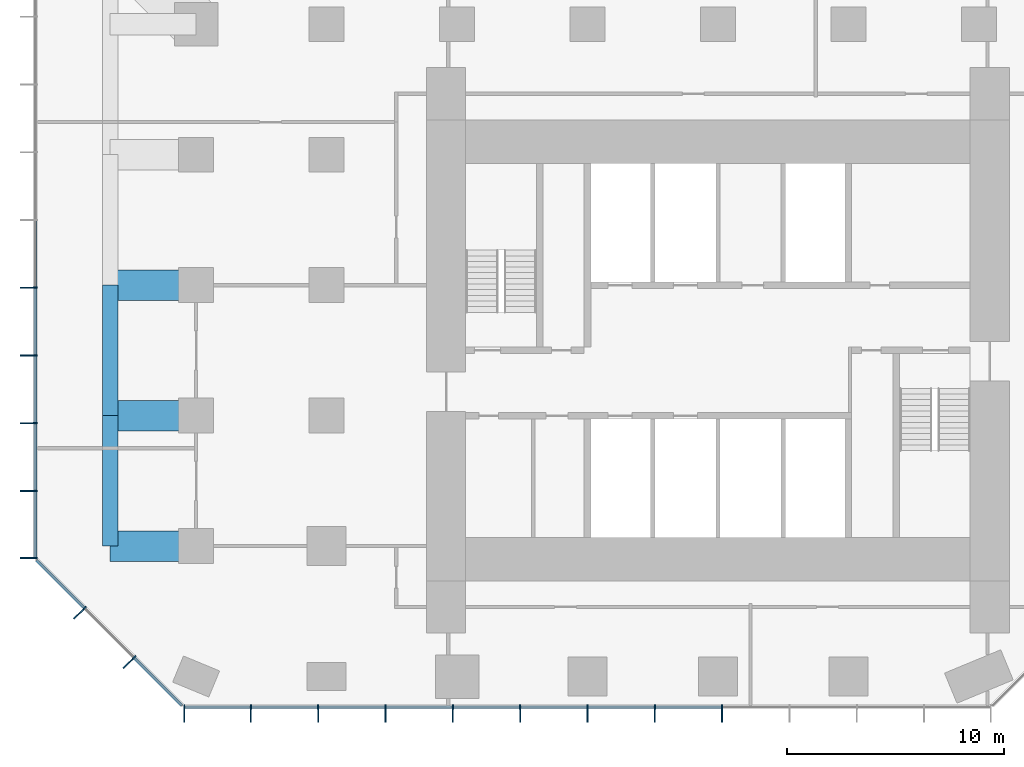
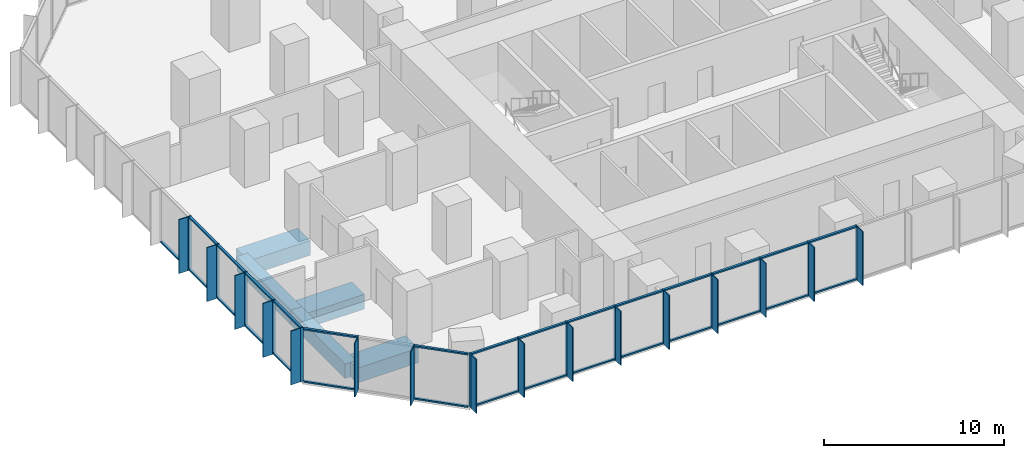
# One storey, part 2 of 11: 61 members, 5 beams, 3 elements without a shape of their own.
"""IFC4 building model written with IfcOpenShell, lengths in metres."""

from ifc_helpers import new_model, si_unit, direction, frame, origin, origin_2d, place, context, subcontext, project, spatial, rectangle, extrude, material, layer, layer_set, material_profile, profile_set, type_object, element, aggregate, save


model = new_model("IFC4")

# Units and contexts
model_context = context("Model", 3, precision=1e-05, world=origin(), true_north=direction((0.0, 1.0)))
body_context = subcontext(model_context, "Body", "Model", "MODEL_VIEW")
ifc_project = project(units=[si_unit("LENGTHUNIT", "METRE"), si_unit("AREAUNIT", "SQUARE_METRE"), si_unit("VOLUMEUNIT", "CUBIC_METRE"), si_unit("PLANEANGLEUNIT", "RADIAN"), si_unit("MASSUNIT", "GRAM", prefix="KILO")], contexts=[model_context])

# Site, building, storey
site_placement = place(None, origin())
site = spatial("IfcSite", under=ifc_project, at=site_placement, CompositionType="ELEMENT")
building_placement = place(site_placement, origin())
building = spatial("IfcBuilding", under=site, at=building_placement, Name="Highveld Stack Headquarters", CompositionType="ELEMENT")
storey_placement = place(building_placement, frame((0.0, 0.0, 93.800048828125)))
storey = spatial("IfcBuildingStorey", under=building, at=storey_placement, Name="L22", CompositionType="ELEMENT", Elevation=93.800048828125)

# Beams
ifc_material_1 = material(Name="Concrete C60/75", Category="concrete")
ifc_material_profile_1 = material_profile(ifc_material_1, rectangle(XDim=1.39990234375, YDim=1.0, at=origin_2d()), Name="RC 1400x1000")
ifc_profile_set_1 = profile_set([ifc_material_profile_1], Name="Concrete C60/75")
beam_type_1 = type_object("IfcBeamType", Name="CANTILEVER RIB RC 1400x1000", PredefinedType="USERDEFINED", material=ifc_profile_set_1)
for number, where, z_axis, x_axis, name in (
    (1, (-18.0, -6.0, -0.75), (-1.0, 0.0, 0.0), (0.0, -1.0, 0.0), "Cantilever rib 3/D L22"),
    (2, (-18.0, 0.0, -0.75), (-1.0, 0.0, 0.0), (0.0, -1.0, 0.0), "Cantilever rib 3/E L22"),
    (3, (-18.0, 6.0, -0.75), (-1.0, 0.0, 0.0), (0.0, -1.0, 0.0), "Cantilever rib 3/F L22"),
):
    element("IfcBeam", number, at=place(storey_placement, frame(where, z_axis=z_axis, x_axis=x_axis)), inside=storey, type_object=beam_type_1, Name=name, ObjectType="CANTILEVER RIB", PredefinedType="USERDEFINED", context=body_context, shape_type="SweptSolid", body=[
        extrude(rectangle(XDim=1.39990234375, YDim=1.0, at=origin_2d()), origin(), (0.0, 0.0, 1.0), 3.949951171875),
    ])

# Curtain wall, members
ifc_material_2 = material(Name="Aluminium bronze anodised", Category="aluminium")
ifc_layer = layer(ifc_material_2, 0.199951171875)
ifc_layer_set = layer_set([ifc_layer], Name="Aluminium bronze anodised")
curtain_wall_type = type_object("IfcCurtainWallType", Name="CW6 SKY LOBBY UNITISED CURTAIN WALL", PredefinedType="NOTDEFINED", material=ifc_layer_set)
curtain_wall_1_placement = place(storey_placement, origin())
curtain_wall_1 = element("IfcCurtainWall", 4, at=curtain_wall_1_placement, inside=storey, type_object=curtain_wall_type, Name="Curtain wall CW6 L22 S", PredefinedType="NOTDEFINED")
ifc_material_3 = material(Name="Aluminium bronze anodised", Category="aluminium")
ifc_material_profile_2 = material_profile(ifc_material_3, rectangle(XDim=0.60009765625, YDim=0.06005859375, at=origin_2d()), Name="FIN 600x60")
ifc_profile_set_2 = profile_set([ifc_material_profile_2], Name="Aluminium bronze anodised")
member_type_1 = type_object("IfcMemberType", Name="CW6 BRONZE FIN 600x60", PredefinedType="USERDEFINED", material=ifc_profile_set_2)
member_1_placement = place(storey_placement, frame((-18.54736328125, -13.800048828125, 0.0), z_axis=(0.0, 0.0, 1.0), x_axis=(0.0, 1.0, 0.0)))
member_1 = element("IfcMember", 5, at=member_1_placement, type_object=member_type_1, Name="CW6 fin L22 1", ObjectType="FIN", PredefinedType="USERDEFINED", context=body_context, shape_type="SweptSolid", body=[
    extrude(rectangle(XDim=0.60009765625, YDim=0.06005859375, at=origin_2d()), origin(), (0.0, 0.0, 1.0), 3.64990234375),
])
member_2_placement = place(storey_placement, frame((-15.483154296875, -13.800048828125, 0.0), z_axis=(0.0, 0.0, 1.0), x_axis=(0.0, 1.0, 0.0)))
member_2 = element("IfcMember", 6, at=member_2_placement, type_object=member_type_1, Name="CW6 fin L22 2", ObjectType="FIN", PredefinedType="USERDEFINED", context=body_context, shape_type="SweptSolid", body=[
    extrude(rectangle(XDim=0.60009765625, YDim=0.06005859375, at=origin_2d()), origin(), (0.0, 0.0, 1.0), 3.64990234375),
])
member_3_placement = place(storey_placement, frame((-12.38671875, -13.800048828125, 0.0), z_axis=(0.0, 0.0, 1.0), x_axis=(0.0, 1.0, 0.0)))
member_3 = element("IfcMember", 7, at=member_3_placement, type_object=member_type_1, Name="CW6 fin L22 3", ObjectType="FIN", PredefinedType="USERDEFINED", context=body_context, shape_type="SweptSolid", body=[
    extrude(rectangle(XDim=0.60009765625, YDim=0.06005859375, at=origin_2d()), origin(), (0.0, 0.0, 1.0), 3.64990234375),
])
member_4_placement = place(storey_placement, frame((-9.289794921875, -13.800048828125, 0.0), z_axis=(0.0, 0.0, 1.0), x_axis=(0.0, 1.0, 0.0)))
member_4 = element("IfcMember", 8, at=member_4_placement, type_object=member_type_1, Name="CW6 fin L22 4", ObjectType="FIN", PredefinedType="USERDEFINED", context=body_context, shape_type="SweptSolid", body=[
    extrude(rectangle(XDim=0.60009765625, YDim=0.06005859375, at=origin_2d()), origin(), (0.0, 0.0, 1.0), 3.64990234375),
])
member_5_placement = place(storey_placement, frame((-6.193359375, -13.800048828125, 0.0), z_axis=(0.0, 0.0, 1.0), x_axis=(0.0, 1.0, 0.0)))
member_5 = element("IfcMember", 9, at=member_5_placement, type_object=member_type_1, Name="CW6 fin L22 5", ObjectType="FIN", PredefinedType="USERDEFINED", context=body_context, shape_type="SweptSolid", body=[
    extrude(rectangle(XDim=0.60009765625, YDim=0.06005859375, at=origin_2d()), origin(), (0.0, 0.0, 1.0), 3.64990234375),
])
member_6_placement = place(storey_placement, frame((-3.0966796875, -13.800048828125, 0.0), z_axis=(0.0, 0.0, 1.0), x_axis=(0.0, 1.0, 0.0)))
member_6 = element("IfcMember", 10, at=member_6_placement, type_object=member_type_1, Name="CW6 fin L22 6", ObjectType="FIN", PredefinedType="USERDEFINED", context=body_context, shape_type="SweptSolid", body=[
    extrude(rectangle(XDim=0.60009765625, YDim=0.06005859375, at=origin_2d()), origin(), (0.0, 0.0, 1.0), 3.64990234375),
])
member_7_placement = place(storey_placement, frame((0.0, -13.800048828125, 0.0), z_axis=(0.0, 0.0, 1.0), x_axis=(0.0, 1.0, 0.0)))
member_7 = element("IfcMember", 11, at=member_7_placement, type_object=member_type_1, Name="CW6 fin L22 7", ObjectType="FIN", PredefinedType="USERDEFINED", context=body_context, shape_type="SweptSolid", body=[
    extrude(rectangle(XDim=0.60009765625, YDim=0.06005859375, at=origin_2d()), origin(), (0.0, 0.0, 1.0), 3.64990234375),
])
member_8_placement = place(storey_placement, frame((3.0966796875, -13.800048828125, 0.0), z_axis=(0.0, 0.0, 1.0), x_axis=(0.0, 1.0, 0.0)))
member_8 = element("IfcMember", 12, at=member_8_placement, type_object=member_type_1, Name="CW6 fin L22 8", ObjectType="FIN", PredefinedType="USERDEFINED", context=body_context, shape_type="SweptSolid", body=[
    extrude(rectangle(XDim=0.60009765625, YDim=0.06005859375, at=origin_2d()), origin(), (0.0, 0.0, 1.0), 3.64990234375),
])
member_9_placement = place(storey_placement, frame((6.193359375, -13.800048828125, 0.0), z_axis=(0.0, 0.0, 1.0), x_axis=(0.0, 1.0, 0.0)))
member_9 = element("IfcMember", 13, at=member_9_placement, type_object=member_type_1, Name="CW6 fin L22 9", ObjectType="FIN", PredefinedType="USERDEFINED", context=body_context, shape_type="SweptSolid", body=[
    extrude(rectangle(XDim=0.60009765625, YDim=0.06005859375, at=origin_2d()), origin(), (0.0, 0.0, 1.0), 3.64990234375),
])

curtain_wall_2_placement = place(storey_placement, origin())
curtain_wall_2 = element("IfcCurtainWall", 14, at=curtain_wall_2_placement, inside=storey, type_object=curtain_wall_type, Name="Curtain wall CW6 L22 W", PredefinedType="NOTDEFINED")
member_10_placement = place(storey_placement, frame((-25.800048828125, 5.884033203125, 0.0), z_axis=(0.0, 0.0, 1.0), x_axis=(1.0, 0.0, 0.0)))
member_10 = element("IfcMember", 15, at=member_10_placement, type_object=member_type_1, Name="CW6 fin L22 7", ObjectType="FIN", PredefinedType="USERDEFINED", context=body_context, shape_type="SweptSolid", body=[
    extrude(rectangle(XDim=0.60009765625, YDim=0.06005859375, at=origin_2d()), origin(), (0.0, 0.0, 1.0), 3.64990234375),
])
member_11_placement = place(storey_placement, frame((-25.800048828125, 2.76806640625, 0.0), z_axis=(0.0, 0.0, 1.0), x_axis=(1.0, 0.0, 0.0)))
member_11 = element("IfcMember", 16, at=member_11_placement, type_object=member_type_1, Name="CW6 fin L22 8", ObjectType="FIN", PredefinedType="USERDEFINED", context=body_context, shape_type="SweptSolid", body=[
    extrude(rectangle(XDim=0.60009765625, YDim=0.06005859375, at=origin_2d()), origin(), (0.0, 0.0, 1.0), 3.64990234375),
])
member_12_placement = place(storey_placement, frame((-25.800048828125, -0.347900390625, 0.0), z_axis=(0.0, 0.0, 1.0), x_axis=(1.0, 0.0, 0.0)))
member_12 = element("IfcMember", 17, at=member_12_placement, type_object=member_type_1, Name="CW6 fin L22 9", ObjectType="FIN", PredefinedType="USERDEFINED", context=body_context, shape_type="SweptSolid", body=[
    extrude(rectangle(XDim=0.60009765625, YDim=0.06005859375, at=origin_2d()), origin(), (0.0, 0.0, 1.0), 3.64990234375),
])
member_13_placement = place(storey_placement, frame((-25.800048828125, -3.4638671875, 0.0), z_axis=(0.0, 0.0, 1.0), x_axis=(1.0, 0.0, 0.0)))
member_13 = element("IfcMember", 18, at=member_13_placement, type_object=member_type_1, Name="CW6 fin L22 10", ObjectType="FIN", PredefinedType="USERDEFINED", context=body_context, shape_type="SweptSolid", body=[
    extrude(rectangle(XDim=0.60009765625, YDim=0.06005859375, at=origin_2d()), origin(), (0.0, 0.0, 1.0), 3.64990234375),
])
member_14_placement = place(storey_placement, frame((-25.800048828125, -6.54736328125, 0.0), z_axis=(0.0, 0.0, 1.0), x_axis=(1.0, 0.0, 0.0)))
member_14 = element("IfcMember", 19, at=member_14_placement, type_object=member_type_1, Name="CW6 fin L22 11", ObjectType="FIN", PredefinedType="USERDEFINED", context=body_context, shape_type="SweptSolid", body=[
    extrude(rectangle(XDim=0.60009765625, YDim=0.06005859375, at=origin_2d()), origin(), (0.0, 0.0, 1.0), 3.64990234375),
])

curtain_wall_3_placement = place(storey_placement, origin())
curtain_wall_3 = element("IfcCurtainWall", 20, at=curtain_wall_3_placement, inside=storey, type_object=curtain_wall_type, Name="Curtain wall CW6 L22 SW", PredefinedType="NOTDEFINED")
member_15_placement = place(storey_placement, frame((-23.409423828125, -9.135986328125, 0.0), z_axis=(0.0, 0.0, 1.0), x_axis=(0.707106781187, 0.707106781187, 0.0)))
member_15 = element("IfcMember", 21, at=member_15_placement, type_object=member_type_1, Name="CW6 fin L22 1", ObjectType="FIN", PredefinedType="USERDEFINED", context=body_context, shape_type="SweptSolid", body=[
    extrude(rectangle(XDim=0.60009765625, YDim=0.06005859375, at=origin_2d()), origin(), (0.0, 0.0, 1.0), 3.64990234375),
])
member_16_placement = place(storey_placement, frame((-21.135986328125, -11.409423828125, 0.0), z_axis=(0.0, 0.0, 1.0), x_axis=(0.707106781187, 0.707106781187, 0.0)))
member_16 = element("IfcMember", 22, at=member_16_placement, type_object=member_type_1, Name="CW6 fin L22 2", ObjectType="FIN", PredefinedType="USERDEFINED", context=body_context, shape_type="SweptSolid", body=[
    extrude(rectangle(XDim=0.60009765625, YDim=0.06005859375, at=origin_2d()), origin(), (0.0, 0.0, 1.0), 3.64990234375),
])

# Member
ifc_material_4 = material(Name="Aluminium bronze anodised", Category="aluminium")
ifc_material_profile_3 = material_profile(ifc_material_4, rectangle(XDim=0.199951171875, YDim=0.06494140625, at=origin_2d()), Name="CW6 MULLION 65x200")
ifc_profile_set_3 = profile_set([ifc_material_profile_3], Name="Aluminium bronze anodised")
member_type_2 = type_object("IfcMemberType", Name="CW6 MULLION 65x200", PredefinedType="MULLION", material=ifc_profile_set_3)
member_17_placement = place(storey_placement, frame((-18.54736328125, -13.39990234375, 0.0), z_axis=(0.0, 0.0, 1.0), x_axis=(0.0, 1.0, 0.0)))
member_17 = element("IfcMember", 23, at=member_17_placement, type_object=member_type_2, Name="CW6 mullion L22 1", PredefinedType="MULLION", context=body_context, shape_type="SweptSolid", body=[
    extrude(rectangle(XDim=0.199951171875, YDim=0.06494140625, at=origin_2d()), origin(), (0.0, 0.0, 1.0), 3.64990234375),
])

member_18_placement = place(storey_placement, frame((-15.483154296875, -13.39990234375, 0.0), z_axis=(0.0, 0.0, 1.0), x_axis=(0.0, 1.0, 0.0)))
member_18 = element("IfcMember", 24, at=member_18_placement, type_object=member_type_2, Name="CW6 mullion L22 2", PredefinedType="MULLION", context=body_context, shape_type="SweptSolid", body=[
    extrude(rectangle(XDim=0.199951171875, YDim=0.06494140625, at=origin_2d()), origin(), (0.0, 0.0, 1.0), 3.64990234375),
])

member_19_placement = place(storey_placement, frame((-12.38671875, -13.39990234375, 0.0), z_axis=(0.0, 0.0, 1.0), x_axis=(0.0, 1.0, 0.0)))
member_19 = element("IfcMember", 25, at=member_19_placement, type_object=member_type_2, Name="CW6 mullion L22 3", PredefinedType="MULLION", context=body_context, shape_type="SweptSolid", body=[
    extrude(rectangle(XDim=0.199951171875, YDim=0.06494140625, at=origin_2d()), origin(), (0.0, 0.0, 1.0), 3.64990234375),
])

member_20_placement = place(storey_placement, frame((-9.289794921875, -13.39990234375, 0.0), z_axis=(0.0, 0.0, 1.0), x_axis=(0.0, 1.0, 0.0)))
member_20 = element("IfcMember", 26, at=member_20_placement, type_object=member_type_2, Name="CW6 mullion L22 4", PredefinedType="MULLION", context=body_context, shape_type="SweptSolid", body=[
    extrude(rectangle(XDim=0.199951171875, YDim=0.06494140625, at=origin_2d()), origin(), (0.0, 0.0, 1.0), 3.64990234375),
])

member_21_placement = place(storey_placement, frame((-6.193359375, -13.39990234375, 0.0), z_axis=(0.0, 0.0, 1.0), x_axis=(0.0, 1.0, 0.0)))
member_21 = element("IfcMember", 27, at=member_21_placement, type_object=member_type_2, Name="CW6 mullion L22 5", PredefinedType="MULLION", context=body_context, shape_type="SweptSolid", body=[
    extrude(rectangle(XDim=0.199951171875, YDim=0.06494140625, at=origin_2d()), origin(), (0.0, 0.0, 1.0), 3.64990234375),
])

member_22_placement = place(storey_placement, frame((-3.0966796875, -13.39990234375, 0.0), z_axis=(0.0, 0.0, 1.0), x_axis=(0.0, 1.0, 0.0)))
member_22 = element("IfcMember", 28, at=member_22_placement, type_object=member_type_2, Name="CW6 mullion L22 6", PredefinedType="MULLION", context=body_context, shape_type="SweptSolid", body=[
    extrude(rectangle(XDim=0.199951171875, YDim=0.06494140625, at=origin_2d()), origin(), (0.0, 0.0, 1.0), 3.64990234375),
])

member_23_placement = place(storey_placement, frame((0.0, -13.39990234375, 0.0), z_axis=(0.0, 0.0, 1.0), x_axis=(0.0, 1.0, 0.0)))
member_23 = element("IfcMember", 29, at=member_23_placement, type_object=member_type_2, Name="CW6 mullion L22 7", PredefinedType="MULLION", context=body_context, shape_type="SweptSolid", body=[
    extrude(rectangle(XDim=0.199951171875, YDim=0.06494140625, at=origin_2d()), origin(), (0.0, 0.0, 1.0), 3.64990234375),
])

member_24_placement = place(storey_placement, frame((3.0966796875, -13.39990234375, 0.0), z_axis=(0.0, 0.0, 1.0), x_axis=(0.0, 1.0, 0.0)))
member_24 = element("IfcMember", 30, at=member_24_placement, type_object=member_type_2, Name="CW6 mullion L22 8", PredefinedType="MULLION", context=body_context, shape_type="SweptSolid", body=[
    extrude(rectangle(XDim=0.199951171875, YDim=0.06494140625, at=origin_2d()), origin(), (0.0, 0.0, 1.0), 3.64990234375),
])

member_25_placement = place(storey_placement, frame((6.193359375, -13.39990234375, 0.0), z_axis=(0.0, 0.0, 1.0), x_axis=(0.0, 1.0, 0.0)))
member_25 = element("IfcMember", 31, at=member_25_placement, type_object=member_type_2, Name="CW6 mullion L22 9", PredefinedType="MULLION", context=body_context, shape_type="SweptSolid", body=[
    extrude(rectangle(XDim=0.199951171875, YDim=0.06494140625, at=origin_2d()), origin(), (0.0, 0.0, 1.0), 3.64990234375),
])

member_26_placement = place(storey_placement, frame((-25.39990234375, 5.884033203125, 0.0), z_axis=(0.0, 0.0, 1.0), x_axis=(1.0, 0.0, 0.0)))
member_26 = element("IfcMember", 32, at=member_26_placement, type_object=member_type_2, Name="CW6 mullion L22 7", PredefinedType="MULLION", context=body_context, shape_type="SweptSolid", body=[
    extrude(rectangle(XDim=0.199951171875, YDim=0.06494140625, at=origin_2d()), origin(), (0.0, 0.0, 1.0), 3.64990234375),
])

member_27_placement = place(storey_placement, frame((-25.39990234375, 2.76806640625, 0.0), z_axis=(0.0, 0.0, 1.0), x_axis=(1.0, 0.0, 0.0)))
member_27 = element("IfcMember", 33, at=member_27_placement, type_object=member_type_2, Name="CW6 mullion L22 8", PredefinedType="MULLION", context=body_context, shape_type="SweptSolid", body=[
    extrude(rectangle(XDim=0.199951171875, YDim=0.06494140625, at=origin_2d()), origin(), (0.0, 0.0, 1.0), 3.64990234375),
])

member_28_placement = place(storey_placement, frame((-25.39990234375, -0.347900390625, 0.0), z_axis=(0.0, 0.0, 1.0), x_axis=(1.0, 0.0, 0.0)))
member_28 = element("IfcMember", 34, at=member_28_placement, type_object=member_type_2, Name="CW6 mullion L22 9", PredefinedType="MULLION", context=body_context, shape_type="SweptSolid", body=[
    extrude(rectangle(XDim=0.199951171875, YDim=0.06494140625, at=origin_2d()), origin(), (0.0, 0.0, 1.0), 3.64990234375),
])

member_29_placement = place(storey_placement, frame((-25.39990234375, -3.4638671875, 0.0), z_axis=(0.0, 0.0, 1.0), x_axis=(1.0, 0.0, 0.0)))
member_29 = element("IfcMember", 35, at=member_29_placement, type_object=member_type_2, Name="CW6 mullion L22 10", PredefinedType="MULLION", context=body_context, shape_type="SweptSolid", body=[
    extrude(rectangle(XDim=0.199951171875, YDim=0.06494140625, at=origin_2d()), origin(), (0.0, 0.0, 1.0), 3.64990234375),
])

member_30_placement = place(storey_placement, frame((-25.39990234375, -6.54736328125, 0.0), z_axis=(0.0, 0.0, 1.0), x_axis=(1.0, 0.0, 0.0)))
member_30 = element("IfcMember", 36, at=member_30_placement, type_object=member_type_2, Name="CW6 mullion L22 11", PredefinedType="MULLION", context=body_context, shape_type="SweptSolid", body=[
    extrude(rectangle(XDim=0.199951171875, YDim=0.06494140625, at=origin_2d()), origin(), (0.0, 0.0, 1.0), 3.64990234375),
])

member_31_placement = place(storey_placement, frame((-23.126708984375, -8.853271484375, 0.0), z_axis=(0.0, 0.0, 1.0), x_axis=(0.707106781187, 0.707106781187, 0.0)))
member_31 = element("IfcMember", 37, at=member_31_placement, type_object=member_type_2, Name="CW6 mullion L22 1", PredefinedType="MULLION", context=body_context, shape_type="SweptSolid", body=[
    extrude(rectangle(XDim=0.199951171875, YDim=0.06494140625, at=origin_2d()), origin(), (0.0, 0.0, 1.0), 3.64990234375),
])

member_32_placement = place(storey_placement, frame((-20.853271484375, -11.126708984375, 0.0), z_axis=(0.0, 0.0, 1.0), x_axis=(0.707106781187, 0.707106781187, 0.0)))
member_32 = element("IfcMember", 38, at=member_32_placement, type_object=member_type_2, Name="CW6 mullion L22 2", PredefinedType="MULLION", context=body_context, shape_type="SweptSolid", body=[
    extrude(rectangle(XDim=0.199951171875, YDim=0.06494140625, at=origin_2d()), origin(), (0.0, 0.0, 1.0), 3.64990234375),
])

ifc_material_5 = material(Name="Aluminium bronze anodised", Category="aluminium")
ifc_material_profile_4 = material_profile(ifc_material_5, rectangle(XDim=0.14990234375, YDim=0.10009765625, at=origin_2d()), Name="CW6 TRANSOM 150x100")
ifc_profile_set_4 = profile_set([ifc_material_profile_4], Name="Aluminium bronze anodised")
member_type_3 = type_object("IfcMemberType", Name="CW6 STACK TRANSOM 150x100", PredefinedType="USERDEFINED", material=ifc_profile_set_4)
member_33_placement = place(storey_placement, frame((-18.514892578125, -13.39990234375, 0.050048828125), z_axis=(1.0, 0.0, 0.0), x_axis=(0.0, 1.0, 0.0)))
member_33 = element("IfcMember", 39, at=member_33_placement, type_object=member_type_3, Name="CW6 transom L22 1.1", ObjectType="TRANSOM", PredefinedType="USERDEFINED", context=body_context, shape_type="SweptSolid", body=[
    extrude(rectangle(XDim=0.14990234375, YDim=0.10009765625, at=origin_2d()), origin(), (0.0, 0.0, 1.0), 2.999267578125),
])

member_34_placement = place(storey_placement, frame((-18.514892578125, -13.39990234375, 3.599853515625), z_axis=(1.0, 0.0, 0.0), x_axis=(0.0, 1.0, 0.0)))
member_34 = element("IfcMember", 40, at=member_34_placement, type_object=member_type_3, Name="CW6 transom L22 1.2", ObjectType="TRANSOM", PredefinedType="USERDEFINED", context=body_context, shape_type="SweptSolid", body=[
    extrude(rectangle(XDim=0.14990234375, YDim=0.10009765625, at=origin_2d()), origin(), (0.0, 0.0, 1.0), 2.999267578125),
])

member_35_placement = place(storey_placement, frame((-15.45068359375, -13.39990234375, 0.050048828125), z_axis=(1.0, 0.0, 0.0), x_axis=(0.0, 1.0, 0.0)))
member_35 = element("IfcMember", 41, at=member_35_placement, type_object=member_type_3, Name="CW6 transom L22 2.1", ObjectType="TRANSOM", PredefinedType="USERDEFINED", context=body_context, shape_type="SweptSolid", body=[
    extrude(rectangle(XDim=0.14990234375, YDim=0.10009765625, at=origin_2d()), origin(), (0.0, 0.0, 1.0), 3.031494140625),
])

member_36_placement = place(storey_placement, frame((-15.45068359375, -13.39990234375, 3.599853515625), z_axis=(1.0, 0.0, 0.0), x_axis=(0.0, 1.0, 0.0)))
member_36 = element("IfcMember", 42, at=member_36_placement, type_object=member_type_3, Name="CW6 transom L22 2.2", ObjectType="TRANSOM", PredefinedType="USERDEFINED", context=body_context, shape_type="SweptSolid", body=[
    extrude(rectangle(XDim=0.14990234375, YDim=0.10009765625, at=origin_2d()), origin(), (0.0, 0.0, 1.0), 3.031494140625),
])

member_37_placement = place(storey_placement, frame((-12.35400390625, -13.39990234375, 0.050048828125), z_axis=(1.0, 0.0, 0.0), x_axis=(0.0, 1.0, 0.0)))
member_37 = element("IfcMember", 43, at=member_37_placement, type_object=member_type_3, Name="CW6 transom L22 3.1", ObjectType="TRANSOM", PredefinedType="USERDEFINED", context=body_context, shape_type="SweptSolid", body=[
    extrude(rectangle(XDim=0.14990234375, YDim=0.10009765625, at=origin_2d()), origin(), (0.0, 0.0, 1.0), 3.031494140625),
])

member_38_placement = place(storey_placement, frame((-12.35400390625, -13.39990234375, 3.599853515625), z_axis=(1.0, 0.0, 0.0), x_axis=(0.0, 1.0, 0.0)))
member_38 = element("IfcMember", 44, at=member_38_placement, type_object=member_type_3, Name="CW6 transom L22 3.2", ObjectType="TRANSOM", PredefinedType="USERDEFINED", context=body_context, shape_type="SweptSolid", body=[
    extrude(rectangle(XDim=0.14990234375, YDim=0.10009765625, at=origin_2d()), origin(), (0.0, 0.0, 1.0), 3.031494140625),
])

member_39_placement = place(storey_placement, frame((-9.25732421875, -13.39990234375, 0.050048828125), z_axis=(1.0, 0.0, 0.0), x_axis=(0.0, 1.0, 0.0)))
member_39 = element("IfcMember", 45, at=member_39_placement, type_object=member_type_3, Name="CW6 transom L22 4.1", ObjectType="TRANSOM", PredefinedType="USERDEFINED", context=body_context, shape_type="SweptSolid", body=[
    extrude(rectangle(XDim=0.14990234375, YDim=0.10009765625, at=origin_2d()), origin(), (0.0, 0.0, 1.0), 3.031494140625),
])

member_40_placement = place(storey_placement, frame((-9.25732421875, -13.39990234375, 3.599853515625), z_axis=(1.0, 0.0, 0.0), x_axis=(0.0, 1.0, 0.0)))
member_40 = element("IfcMember", 46, at=member_40_placement, type_object=member_type_3, Name="CW6 transom L22 4.2", ObjectType="TRANSOM", PredefinedType="USERDEFINED", context=body_context, shape_type="SweptSolid", body=[
    extrude(rectangle(XDim=0.14990234375, YDim=0.10009765625, at=origin_2d()), origin(), (0.0, 0.0, 1.0), 3.031494140625),
])

member_41_placement = place(storey_placement, frame((-6.160888671875, -13.39990234375, 0.050048828125), z_axis=(1.0, 0.0, 0.0), x_axis=(0.0, 1.0, 0.0)))
member_41 = element("IfcMember", 47, at=member_41_placement, type_object=member_type_3, Name="CW6 transom L22 5.1", ObjectType="TRANSOM", PredefinedType="USERDEFINED", context=body_context, shape_type="SweptSolid", body=[
    extrude(rectangle(XDim=0.14990234375, YDim=0.10009765625, at=origin_2d()), origin(), (0.0, 0.0, 1.0), 3.03173828125),
])

member_42_placement = place(storey_placement, frame((-6.160888671875, -13.39990234375, 3.599853515625), z_axis=(1.0, 0.0, 0.0), x_axis=(0.0, 1.0, 0.0)))
member_42 = element("IfcMember", 48, at=member_42_placement, type_object=member_type_3, Name="CW6 transom L22 5.2", ObjectType="TRANSOM", PredefinedType="USERDEFINED", context=body_context, shape_type="SweptSolid", body=[
    extrude(rectangle(XDim=0.14990234375, YDim=0.10009765625, at=origin_2d()), origin(), (0.0, 0.0, 1.0), 3.03173828125),
])

member_43_placement = place(storey_placement, frame((-3.064208984375, -13.39990234375, 0.050048828125), z_axis=(1.0, 0.0, 0.0), x_axis=(0.0, 1.0, 0.0)))
member_43 = element("IfcMember", 49, at=member_43_placement, type_object=member_type_3, Name="CW6 transom L22 6.1", ObjectType="TRANSOM", PredefinedType="USERDEFINED", context=body_context, shape_type="SweptSolid", body=[
    extrude(rectangle(XDim=0.14990234375, YDim=0.10009765625, at=origin_2d()), origin(), (0.0, 0.0, 1.0), 3.03173828125),
])

member_44_placement = place(storey_placement, frame((-3.064208984375, -13.39990234375, 3.599853515625), z_axis=(1.0, 0.0, 0.0), x_axis=(0.0, 1.0, 0.0)))
member_44 = element("IfcMember", 50, at=member_44_placement, type_object=member_type_3, Name="CW6 transom L22 6.2", ObjectType="TRANSOM", PredefinedType="USERDEFINED", context=body_context, shape_type="SweptSolid", body=[
    extrude(rectangle(XDim=0.14990234375, YDim=0.10009765625, at=origin_2d()), origin(), (0.0, 0.0, 1.0), 3.03173828125),
])

member_45_placement = place(storey_placement, frame((0.032470703125, -13.39990234375, 0.050048828125), z_axis=(1.0, 0.0, 0.0), x_axis=(0.0, 1.0, 0.0)))
member_45 = element("IfcMember", 51, at=member_45_placement, type_object=member_type_3, Name="CW6 transom L22 7.1", ObjectType="TRANSOM", PredefinedType="USERDEFINED", context=body_context, shape_type="SweptSolid", body=[
    extrude(rectangle(XDim=0.14990234375, YDim=0.10009765625, at=origin_2d()), origin(), (0.0, 0.0, 1.0), 3.03173828125),
])

member_46_placement = place(storey_placement, frame((0.032470703125, -13.39990234375, 3.599853515625), z_axis=(1.0, 0.0, 0.0), x_axis=(0.0, 1.0, 0.0)))
member_46 = element("IfcMember", 52, at=member_46_placement, type_object=member_type_3, Name="CW6 transom L22 7.2", ObjectType="TRANSOM", PredefinedType="USERDEFINED", context=body_context, shape_type="SweptSolid", body=[
    extrude(rectangle(XDim=0.14990234375, YDim=0.10009765625, at=origin_2d()), origin(), (0.0, 0.0, 1.0), 3.03173828125),
])

member_47_placement = place(storey_placement, frame((3.129150390625, -13.39990234375, 0.050048828125), z_axis=(1.0, 0.0, 0.0), x_axis=(0.0, 1.0, 0.0)))
member_47 = element("IfcMember", 53, at=member_47_placement, type_object=member_type_3, Name="CW6 transom L22 8.1", ObjectType="TRANSOM", PredefinedType="USERDEFINED", context=body_context, shape_type="SweptSolid", body=[
    extrude(rectangle(XDim=0.14990234375, YDim=0.10009765625, at=origin_2d()), origin(), (0.0, 0.0, 1.0), 3.03173828125),
])

member_48_placement = place(storey_placement, frame((3.129150390625, -13.39990234375, 3.599853515625), z_axis=(1.0, 0.0, 0.0), x_axis=(0.0, 1.0, 0.0)))
member_48 = element("IfcMember", 54, at=member_48_placement, type_object=member_type_3, Name="CW6 transom L22 8.2", ObjectType="TRANSOM", PredefinedType="USERDEFINED", context=body_context, shape_type="SweptSolid", body=[
    extrude(rectangle(XDim=0.14990234375, YDim=0.10009765625, at=origin_2d()), origin(), (0.0, 0.0, 1.0), 3.03173828125),
])

aggregate(curtain_wall_1, [member_17, member_1, member_18, member_2, member_19, member_3, member_20, member_4, member_21, member_5, member_22, member_6, member_23, member_7, member_24, member_8, member_25, member_9, member_33, member_34, member_35, member_36, member_37, member_38, member_39, member_40, member_41, member_42, member_43, member_44, member_45, member_46, member_47, member_48])

member_49_placement = place(storey_placement, frame((-25.39990234375, 8.967529296875, 0.050048828125), z_axis=(0.0, -1.0, 0.0), x_axis=(1.0, 0.0, 0.0)))
member_49 = element("IfcMember", 55, at=member_49_placement, type_object=member_type_3, Name="CW6 transom L22 6.1", ObjectType="TRANSOM", PredefinedType="USERDEFINED", context=body_context, shape_type="SweptSolid", body=[
    extrude(rectangle(XDim=0.14990234375, YDim=0.10009765625, at=origin_2d()), origin(), (0.0, 0.0, 1.0), 3.051025390625),
])

member_50_placement = place(storey_placement, frame((-25.39990234375, 5.8515625, 0.050048828125), z_axis=(0.0, -1.0, 0.0), x_axis=(1.0, 0.0, 0.0)))
member_50 = element("IfcMember", 56, at=member_50_placement, type_object=member_type_3, Name="CW6 transom L22 7.1", ObjectType="TRANSOM", PredefinedType="USERDEFINED", context=body_context, shape_type="SweptSolid", body=[
    extrude(rectangle(XDim=0.14990234375, YDim=0.10009765625, at=origin_2d()), origin(), (0.0, 0.0, 1.0), 3.051025390625),
])

member_51_placement = place(storey_placement, frame((-25.39990234375, 5.8515625, 3.599853515625), z_axis=(0.0, -1.0, 0.0), x_axis=(1.0, 0.0, 0.0)))
member_51 = element("IfcMember", 57, at=member_51_placement, type_object=member_type_3, Name="CW6 transom L22 7.2", ObjectType="TRANSOM", PredefinedType="USERDEFINED", context=body_context, shape_type="SweptSolid", body=[
    extrude(rectangle(XDim=0.14990234375, YDim=0.10009765625, at=origin_2d()), origin(), (0.0, 0.0, 1.0), 3.051025390625),
])

member_52_placement = place(storey_placement, frame((-25.39990234375, 2.735595703125, 0.050048828125), z_axis=(0.0, -1.0, 0.0), x_axis=(1.0, 0.0, 0.0)))
member_52 = element("IfcMember", 58, at=member_52_placement, type_object=member_type_3, Name="CW6 transom L22 8.1", ObjectType="TRANSOM", PredefinedType="USERDEFINED", context=body_context, shape_type="SweptSolid", body=[
    extrude(rectangle(XDim=0.14990234375, YDim=0.10009765625, at=origin_2d()), origin(), (0.0, 0.0, 1.0), 3.051025390625),
])

member_53_placement = place(storey_placement, frame((-25.39990234375, 2.735595703125, 3.599853515625), z_axis=(0.0, -1.0, 0.0), x_axis=(1.0, 0.0, 0.0)))
member_53 = element("IfcMember", 59, at=member_53_placement, type_object=member_type_3, Name="CW6 transom L22 8.2", ObjectType="TRANSOM", PredefinedType="USERDEFINED", context=body_context, shape_type="SweptSolid", body=[
    extrude(rectangle(XDim=0.14990234375, YDim=0.10009765625, at=origin_2d()), origin(), (0.0, 0.0, 1.0), 3.051025390625),
])

member_54_placement = place(storey_placement, frame((-25.39990234375, -0.38037109375, 0.050048828125), z_axis=(0.0, -1.0, 0.0), x_axis=(1.0, 0.0, 0.0)))
member_54 = element("IfcMember", 60, at=member_54_placement, type_object=member_type_3, Name="CW6 transom L22 9.1", ObjectType="TRANSOM", PredefinedType="USERDEFINED", context=body_context, shape_type="SweptSolid", body=[
    extrude(rectangle(XDim=0.14990234375, YDim=0.10009765625, at=origin_2d()), origin(), (0.0, 0.0, 1.0), 3.051025390625),
])

member_55_placement = place(storey_placement, frame((-25.39990234375, -0.38037109375, 3.599853515625), z_axis=(0.0, -1.0, 0.0), x_axis=(1.0, 0.0, 0.0)))
member_55 = element("IfcMember", 61, at=member_55_placement, type_object=member_type_3, Name="CW6 transom L22 9.2", ObjectType="TRANSOM", PredefinedType="USERDEFINED", context=body_context, shape_type="SweptSolid", body=[
    extrude(rectangle(XDim=0.14990234375, YDim=0.10009765625, at=origin_2d()), origin(), (0.0, 0.0, 1.0), 3.051025390625),
])

member_56_placement = place(storey_placement, frame((-25.39990234375, -3.496337890625, 0.050048828125), z_axis=(0.0, -1.0, 0.0), x_axis=(1.0, 0.0, 0.0)))
member_56 = element("IfcMember", 62, at=member_56_placement, type_object=member_type_3, Name="CW6 transom L22 10.1", ObjectType="TRANSOM", PredefinedType="USERDEFINED", context=body_context, shape_type="SweptSolid", body=[
    extrude(rectangle(XDim=0.14990234375, YDim=0.10009765625, at=origin_2d()), origin(), (0.0, 0.0, 1.0), 3.0185546875),
])

member_57_placement = place(storey_placement, frame((-25.39990234375, -3.496337890625, 3.599853515625), z_axis=(0.0, -1.0, 0.0), x_axis=(1.0, 0.0, 0.0)))
member_57 = element("IfcMember", 63, at=member_57_placement, type_object=member_type_3, Name="CW6 transom L22 10.2", ObjectType="TRANSOM", PredefinedType="USERDEFINED", context=body_context, shape_type="SweptSolid", body=[
    extrude(rectangle(XDim=0.14990234375, YDim=0.10009765625, at=origin_2d()), origin(), (0.0, 0.0, 1.0), 3.0185546875),
])

aggregate(curtain_wall_2, [member_26, member_10, member_27, member_11, member_28, member_12, member_29, member_13, member_30, member_14, member_49, member_50, member_51, member_52, member_53, member_54, member_55, member_56, member_57])

member_58_placement = place(storey_placement, frame((-25.329345703125, -6.650634765625, 0.050048828125), z_axis=(0.707106781187, -0.707106781187, 0.0), x_axis=(0.707106781187, 0.707106781187, 0.0)))
member_58 = element("IfcMember", 64, at=member_58_placement, type_object=member_type_3, Name="CW6 transom L22 1.1", ObjectType="TRANSOM", PredefinedType="USERDEFINED", context=body_context, shape_type="SweptSolid", body=[
    extrude(rectangle(XDim=0.14990234375, YDim=0.10009765625, at=origin_2d()), origin(), (0.0, 0.0, 1.0), 3.08251953125),
])

member_59_placement = place(storey_placement, frame((-25.329345703125, -6.650634765625, 3.599853515625), z_axis=(0.707106781187, -0.707106781187, 0.0), x_axis=(0.707106781187, 0.707106781187, 0.0)))
member_59 = element("IfcMember", 65, at=member_59_placement, type_object=member_type_3, Name="CW6 transom L22 1.2", ObjectType="TRANSOM", PredefinedType="USERDEFINED", context=body_context, shape_type="SweptSolid", body=[
    extrude(rectangle(XDim=0.14990234375, YDim=0.10009765625, at=origin_2d()), origin(), (0.0, 0.0, 1.0), 3.08251953125),
])

member_60_placement = place(storey_placement, frame((-20.830322265625, -11.149658203125, 0.050048828125), z_axis=(0.707106781187, -0.707106781187, 0.0), x_axis=(0.707106781187, 0.707106781187, 0.0)))
member_60 = element("IfcMember", 66, at=member_60_placement, type_object=member_type_3, Name="CW6 transom L22 3.1", ObjectType="TRANSOM", PredefinedType="USERDEFINED", context=body_context, shape_type="SweptSolid", body=[
    extrude(rectangle(XDim=0.14990234375, YDim=0.10009765625, at=origin_2d()), origin(), (0.0, 0.0, 1.0), 3.08251953125),
])

member_61_placement = place(storey_placement, frame((-20.830322265625, -11.149658203125, 3.599853515625), z_axis=(0.707106781187, -0.707106781187, 0.0), x_axis=(0.707106781187, 0.707106781187, 0.0)))
member_61 = element("IfcMember", 67, at=member_61_placement, type_object=member_type_3, Name="CW6 transom L22 3.2", ObjectType="TRANSOM", PredefinedType="USERDEFINED", context=body_context, shape_type="SweptSolid", body=[
    extrude(rectangle(XDim=0.14990234375, YDim=0.10009765625, at=origin_2d()), origin(), (0.0, 0.0, 1.0), 3.08251953125),
])

aggregate(curtain_wall_3, [member_31, member_15, member_32, member_16, member_58, member_59, member_60, member_61])

# Beams
ifc_material_6 = material(Name="Concrete C60/75", Category="concrete")
ifc_material_profile_5 = material_profile(ifc_material_6, rectangle(XDim=0.699951171875, YDim=1.0, at=origin_2d()), Name="RC 700x1000")
ifc_profile_set_5 = profile_set([ifc_material_profile_5], Name="Concrete C60/75")
beam_type_2 = type_object("IfcBeamType", Name="RIB TIP BEAM RC 700x1000", PredefinedType="SPANDREL", material=ifc_profile_set_5)
for number, where, z_axis, x_axis, name in (
    (68, (-21.949951171875, -6.0, -0.75), (0.0, 1.0, 0.0), (-1.0, 0.0, 0.0), "Rib tip beam 3/D to 3/E L22"),
    (69, (-21.949951171875, 0.0, -0.75), (0.0, 1.0, 0.0), (-1.0, 0.0, 0.0), "Rib tip beam 3/E to 3/F L22"),
):
    element("IfcBeam", number, at=place(storey_placement, frame(where, z_axis=z_axis, x_axis=x_axis)), inside=storey, type_object=beam_type_2, Name=name, PredefinedType="SPANDREL", context=body_context, shape_type="SweptSolid", body=[
        extrude(rectangle(XDim=0.699951171875, YDim=1.0, at=origin_2d()), origin(), (0.0, 0.0, 1.0), 6.0),
    ])

save(model, "model.ifc")
